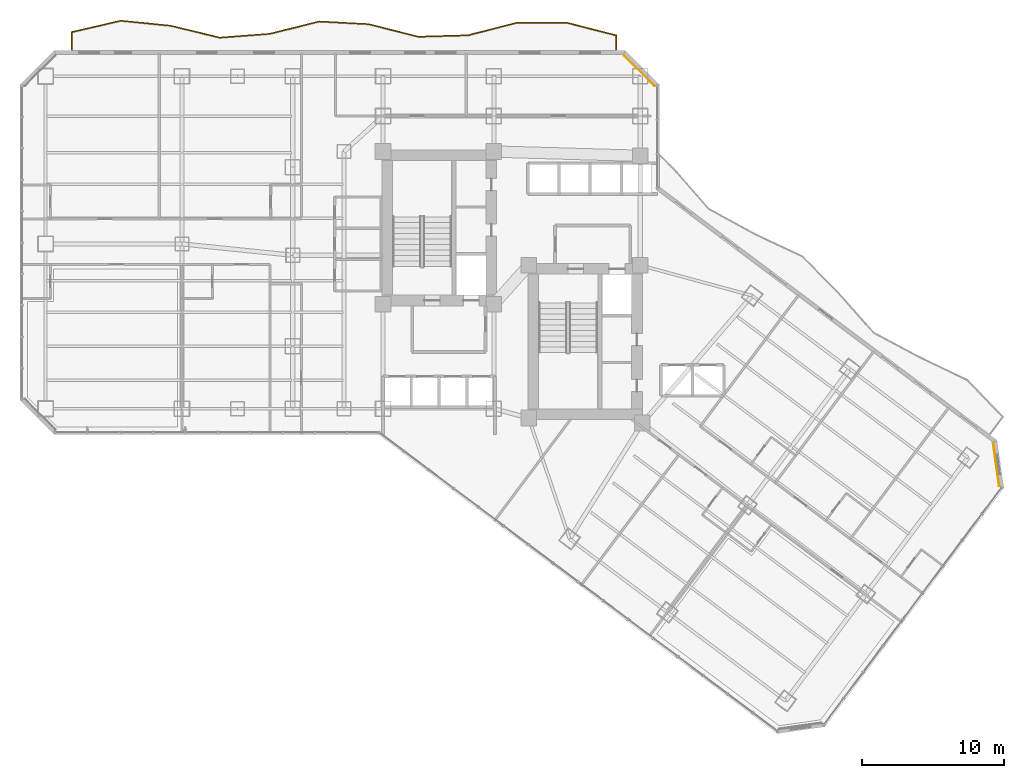
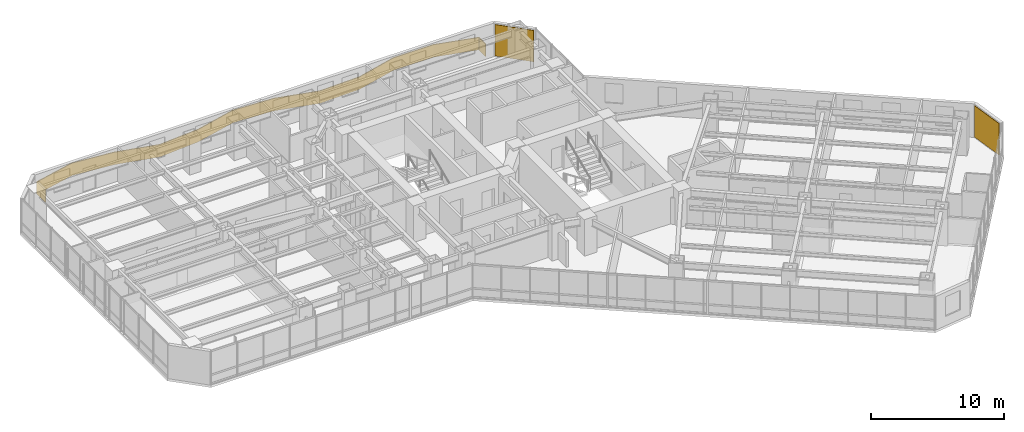
# One storey, part 39 of 39: 2 coverings, 1 railing.
"""IFC4 building model written with IfcOpenShell, lengths in metres."""

from ifc_helpers import new_model, si_unit, direction, frame, origin, origin_2d, place, context, subcontext, project, spatial, polyline, rectangle, outline, extrude, material, layer, layer_set, type_object, element, save


model = new_model("IFC4")

# Units and contexts
model_context = context("Model", 3, precision=1e-05, world=origin(), true_north=direction((0.0, 1.0)))
body_context = subcontext(model_context, "Body", "Model", "MODEL_VIEW")
ifc_project = project(units=[si_unit("LENGTHUNIT", "METRE"), si_unit("AREAUNIT", "SQUARE_METRE"), si_unit("VOLUMEUNIT", "CUBIC_METRE"), si_unit("PLANEANGLEUNIT", "RADIAN"), si_unit("MASSUNIT", "GRAM", prefix="KILO")], contexts=[model_context])

# Site, building, storey
site_placement = place(None, origin())
site = spatial("IfcSite", under=ifc_project, at=site_placement, CompositionType="ELEMENT")
building_placement = place(site_placement, origin())
building = spatial("IfcBuilding", under=site, at=building_placement, Name="Hatsunagi Terrace Concourse", CompositionType="ELEMENT")
storey_placement = place(building_placement, frame((0.0, 0.0, 66.75)))
storey = spatial("IfcBuildingStorey", under=building, at=storey_placement, Name="L17", CompositionType="ELEMENT", Elevation=66.75)

# Railing
ifc_material_1 = material(Name="Laminated Glass and Stainless Steel Guard", Category="steel")
ifc_layer_1 = layer(ifc_material_1, 0.070068359375)
ifc_layer_set_1 = layer_set([ifc_layer_1], Name="BalconyGlassGuardRail_1150")
railing_type = type_object("IfcRailingType", Name="BalconyGlassGuardRail_1150", PredefinedType="BALUSTRADE", material=ifc_layer_set_1)
railing_placement = place(storey_placement, origin())
element("IfcRailing", 1, at=railing_placement, inside=storey, type_object=railing_type, Name="Engawa Balcony Guard GRD-01 L17-BN-1", PredefinedType="BALUSTRADE", context=body_context, shape_type="SweptSolid", body=[
    extrude(outline(polyline([(3.614990234375, 50.449951171875), (3.68505859375, 50.449951171875), (3.68505859375, 51.68115234375), (7.09619140625, 52.4716796875), (10.568115234375, 52.12548828125), (14.066162109375, 51.28173828125), (17.57763671875, 51.55126953125), (21.0634765625, 52.417724609375), (24.53173828125, 52.232177734375), (28.026123046875, 51.346923828125), (31.538818359375, 51.44921875), (35.0283203125, 52.343994140625), (38.49853515625, 52.326904296875), (41.9150390625, 51.448974609375), (41.9150390625, 50.449951171875), (41.985107421875, 50.449951171875), (41.985107421875, 51.503173828125), (38.507568359375, 52.39697265625), (35.019775390625, 52.4140625), (31.529052734375, 51.518798828125), (28.033935546875, 51.4169921875), (24.542236328125, 52.3017578125), (21.056640625, 52.48828125), (17.56640625, 51.62060546875), (14.07177734375, 51.352294921875), (10.579833984375, 52.194580078125), (7.091796875, 52.54248046875), (3.614990234375, 51.73681640625), (3.614990234375, 50.449951171875)])), origin(), (0.0, 0.0, 1.0), 1.14990234375),
])

# Coverings
ifc_material_2 = material(Name="Unglazed Warm Terracotta Rainscreen Tile", Category="masonry")
ifc_layer_2 = layer(ifc_material_2, 0.044921875)
ifc_layer_set_2 = layer_set([ifc_layer_2], Name="TerracottaRainscreenCladding_45")
covering_type = type_object("IfcCoveringType", Name="TerracottaRainscreenCladding_45", PredefinedType="CLADDING", material=ifc_layer_set_2)
for number, where, z_axis, x_axis, name in (
    (2, (68.700927734375, 21.258056640625, 0.10009765625), (0.0, 0.0, 1.0), (0.141250262458, -0.989973920543, 0.0), "Terracotta Rainscreen Cladding L17-02"),
    (3, (43.5859375, 48.986083984375, 0.10009765625), (0.0, 0.0, 1.0), (0.707106781187, -0.707106781187, 0.0), "Terracotta Rainscreen Cladding L17-12"),
):
    element("IfcCovering", number, at=place(storey_placement, frame(where, z_axis=z_axis, x_axis=x_axis)), inside=storey, type_object=covering_type, Name=name, PredefinedType="CLADDING", context=body_context, shape_type="SweptSolid", body=[
        extrude(rectangle(XDim=3.0380859375, YDim=0.044921875, at=origin_2d()), origin(), (0.0, 0.0, 1.0), 2.889892578125),
    ])

save(model, "model.ifc")
